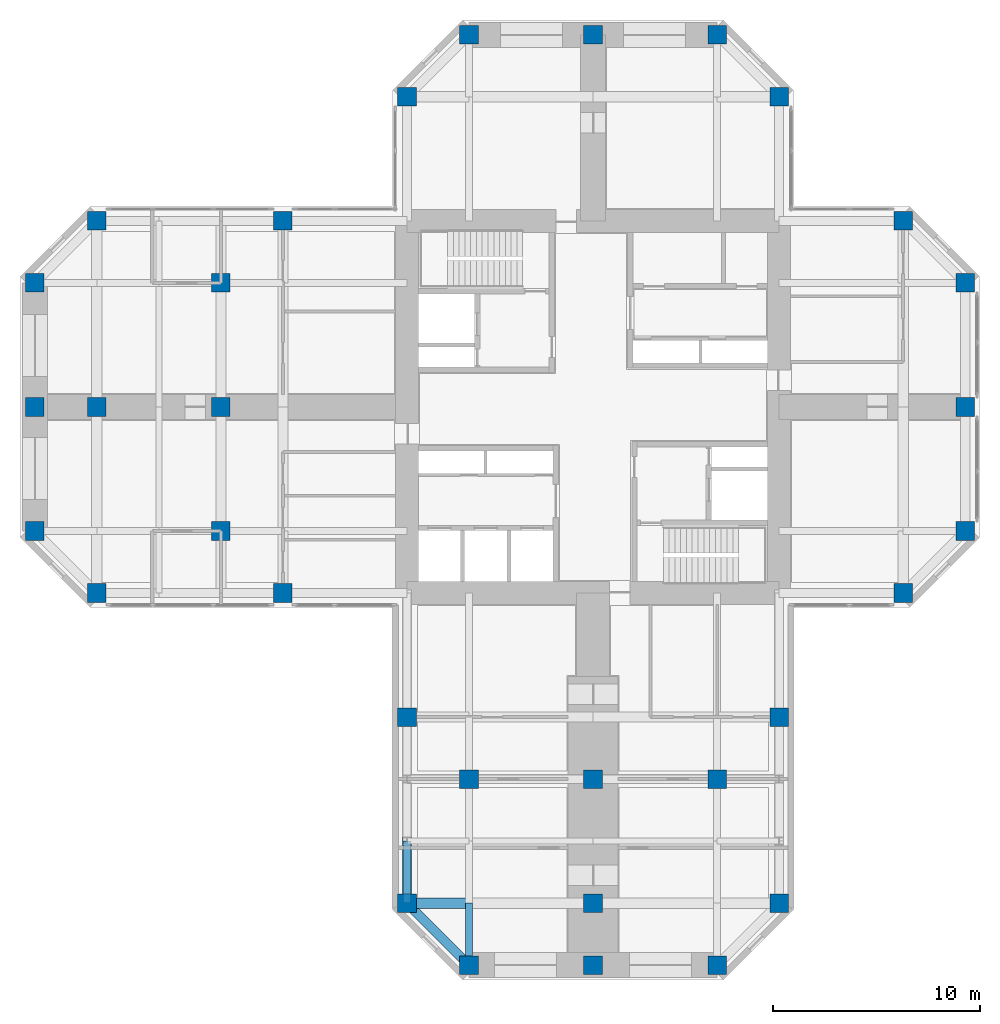
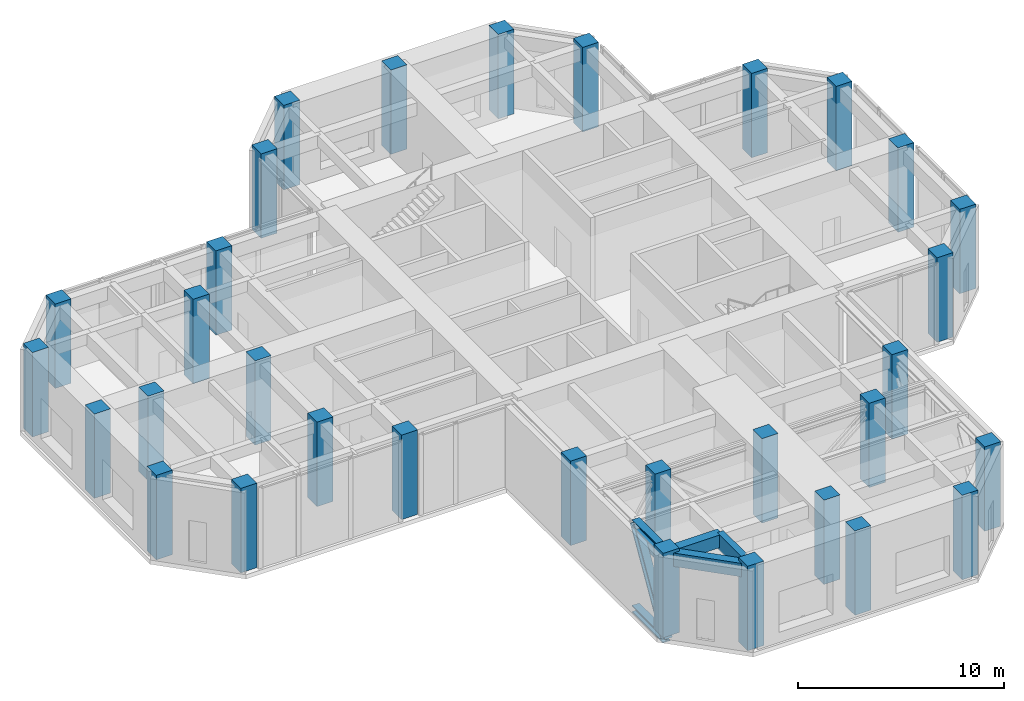
# One storey, part 1 of 10: 32 columns, 3 beams, 3 members.
"""IFC4 building model written with IfcOpenShell, lengths in metres."""

from ifc_helpers import new_model, si_unit, direction, frame, origin, origin_2d, place, context, subcontext, project, spatial, rectangle, i_section, extrude, material, material_profile, profile_set, type_object, element, save


model = new_model("IFC4")

# Units and contexts
model_context = context("Model", 3, precision=1e-05, world=origin(), true_north=direction((0.0, 1.0)))
body_context = subcontext(model_context, "Body", "Model", "MODEL_VIEW")
ifc_project = project(units=[si_unit("LENGTHUNIT", "METRE"), si_unit("AREAUNIT", "SQUARE_METRE"), si_unit("VOLUMEUNIT", "CUBIC_METRE"), si_unit("PLANEANGLEUNIT", "RADIAN"), si_unit("MASSUNIT", "GRAM", prefix="KILO")], contexts=[model_context])

# Site, building, storey
site_placement = place(None, origin())
site = spatial("IfcSite", under=ifc_project, at=site_placement, CompositionType="ELEMENT")
building_placement = place(site_placement, origin())
building = spatial("IfcBuilding", under=site, at=building_placement, Name="Torre Cruceta", CompositionType="ELEMENT")
storey_placement = place(building_placement, frame((0.0, 0.0, 217.10009765625)))
storey = spatial("IfcBuildingStorey", under=building, at=storey_placement, Name="L55", CompositionType="ELEMENT", Elevation=217.10009765625)

# Columns
ifc_material_1 = material(Name="Concrete G60 (fck 60 MPa)", Category="concrete")
ifc_material_profile_1 = material_profile(ifc_material_1, rectangle(XDim=0.89990234375, YDim=0.89990234375, at=origin_2d()), Name="RC 900X900")
ifc_profile_set_1 = profile_set([ifc_material_profile_1], Name="Concrete G60 (fck 60 MPa)")
column_type = type_object("IfcColumnType", Name="COLUMN RC 900X900", PredefinedType="COLUMN", material=ifc_profile_set_1)
for number, where, z_axis, x_axis, name in (
    (1, (9.0, 15.0, 0.0), (0.0, 0.0, 1.0), (1.0, 0.0, 0.0), "C6 L55 N chamfer"),
    (2, (-9.0, 15.0, 0.0), (0.0, 0.0, 1.0), (1.0, 0.0, 0.0), "C6 L55 N chamfer"),
    (3, (6.0, 18.0, 0.0), (0.0, 0.0, 1.0), (1.0, 0.0, 0.0), "C6 L55 N tip"),
    (4, (0.0, 18.0, 0.0), (0.0, 0.0, 1.0), (1.0, 0.0, 0.0), "C6 L55 N tip"),
    (5, (-6.0, 18.0, 0.0), (0.0, 0.0, 1.0), (1.0, 0.0, 0.0), "C6 L55 N tip"),
    (6, (15.0, -9.0, 0.0), (0.0, 0.0, 1.0), (1.0, 0.0, 0.0), "C6 L55 E chamfer"),
    (7, (15.0, 9.0, 0.0), (0.0, 0.0, 1.0), (1.0, 0.0, 0.0), "C6 L55 E chamfer"),
    (8, (18.0, -6.0, 0.0), (0.0, 0.0, 1.0), (1.0, 0.0, 0.0), "C6 L55 E tip"),
    (9, (18.0, 0.0, 0.0), (0.0, 0.0, 1.0), (1.0, 0.0, 0.0), "C6 L55 E tip"),
    (10, (18.0, 6.0, 0.0), (0.0, 0.0, 1.0), (1.0, 0.0, 0.0), "C6 L55 E tip"),
    (11, (-9.0, -15.0, 0.0), (0.0, 0.0, 1.0), (1.0, 0.0, 0.0), "C6 L55 S side"),
    (12, (-9.0, -24.0, 0.0), (0.0, 0.0, 1.0), (1.0, 0.0, 0.0), "C6 L55 S chamfer"),
    (13, (9.0, -15.0, 0.0), (0.0, 0.0, 1.0), (1.0, 0.0, 0.0), "C6 L55 S side"),
    (14, (9.0, -24.0, 0.0), (0.0, 0.0, 1.0), (1.0, 0.0, 0.0), "C6 L55 S chamfer"),
    (15, (-6.0, -27.0, 0.0), (0.0, 0.0, 1.0), (1.0, 0.0, 0.0), "C6 L55 S tip"),
    (16, (0.0, -27.0, 0.0), (0.0, 0.0, 1.0), (1.0, 0.0, 0.0), "C6 L55 S tip"),
    (17, (6.0, -27.0, 0.0), (0.0, 0.0, 1.0), (1.0, 0.0, 0.0), "C6 L55 S tip"),
    (18, (-15.0, 9.0, 0.0), (0.0, 0.0, 1.0), (1.0, 0.0, 0.0), "C6 L55 W side"),
    (19, (-24.0, 9.0, 0.0), (0.0, 0.0, 1.0), (1.0, 0.0, 0.0), "C6 L55 W chamfer"),
    (20, (-15.0, -9.0, 0.0), (0.0, 0.0, 1.0), (1.0, 0.0, 0.0), "C6 L55 W side"),
    (21, (-24.0, -9.0, 0.0), (0.0, 0.0, 1.0), (1.0, 0.0, 0.0), "C6 L55 W chamfer"),
    (22, (-27.0, 6.0, 0.0), (0.0, 0.0, 1.0), (1.0, 0.0, 0.0), "C6 L55 W tip"),
    (23, (-27.0, 0.0, 0.0), (0.0, 0.0, 1.0), (1.0, 0.0, 0.0), "C6 L55 W tip"),
    (24, (-27.0, -6.0, 0.0), (0.0, 0.0, 1.0), (1.0, 0.0, 0.0), "C6 L55 W tip"),
    (25, (-6.0, -18.0, 0.0), (0.0, 0.0, 1.0), (1.0, 0.0, 0.0), "C6 L55 S interior"),
    (26, (0.0, -18.0, 0.0), (0.0, 0.0, 1.0), (1.0, 0.0, 0.0), "C6 L55 S interior"),
    (27, (6.0, -18.0, 0.0), (0.0, 0.0, 1.0), (1.0, 0.0, 0.0), "C6 L55 S interior"),
    (28, (0.0, -24.0, 0.0), (0.0, 0.0, 1.0), (1.0, 0.0, 0.0), "C6 L55 S interior"),
    (29, (-18.0, 6.0, 0.0), (0.0, 0.0, 1.0), (1.0, 0.0, 0.0), "C6 L55 W interior"),
    (30, (-18.0, 0.0, 0.0), (0.0, 0.0, 1.0), (1.0, 0.0, 0.0), "C6 L55 W interior"),
    (31, (-18.0, -6.0, 0.0), (0.0, 0.0, 1.0), (1.0, 0.0, 0.0), "C6 L55 W interior"),
    (32, (-24.0, 0.0, 0.0), (0.0, 0.0, 1.0), (1.0, 0.0, 0.0), "C6 L55 W interior"),
):
    element("IfcColumn", number, at=place(storey_placement, frame(where, z_axis=z_axis, x_axis=x_axis)), inside=storey, type_object=column_type, Name=name, PredefinedType="COLUMN", context=body_context, shape_type="SweptSolid", body=[
        extrude(rectangle(XDim=0.89990234375, YDim=0.89990234375, at=origin_2d()), origin(), (0.0, 0.0, 1.0), 5.0),
    ])

# Members
ifc_material_2 = material(Name="Steel A913 Gr65", Category="steel")
ifc_material_profile_2 = material_profile(ifc_material_2, i_section(OverallWidth=0.406494140625, OverallDepth=0.41650390625, WebThickness=0.030029296875, FlangeThickness=0.048095703125, at=origin_2d()), Name="W14X257")
ifc_profile_set_2 = profile_set([ifc_material_profile_2], Name="Steel A913 Gr65")
member_type_1 = type_object("IfcMemberType", Name="BELT TRUSS CHORD 3 W14X257", PredefinedType="CHORD", material=ifc_profile_set_2)
for number, where, z_axis, x_axis, name in (
    (33, (-9.0, -21.0, -0.45849609375), (0.0, -1.0, 0.0), (1.0, 0.0, 0.0), "Belt truss 3 S-B4"),
    (34, (-9.0, -21.0, 4.611572265625), (0.0, -1.0, 0.0), (1.0, 0.0, 0.0), "Belt truss 3 S-T4"),
):
    element("IfcMember", number, at=place(storey_placement, frame(where, z_axis=z_axis, x_axis=x_axis)), inside=storey, type_object=member_type_1, Name=name, PredefinedType="CHORD", context=body_context, shape_type="SweptSolid", body=[
        extrude(i_section(OverallWidth=0.406494140625, OverallDepth=0.41650390625, WebThickness=0.030029296875, FlangeThickness=0.048095703125, at=origin_2d()), origin(), (0.0, 0.0, 1.0), 3.0),
    ])
ifc_material_3 = material(Name="Steel A913 Gr65", Category="steel")
ifc_material_profile_3 = material_profile(ifc_material_3, i_section(OverallWidth=0.419189453125, OverallDepth=0.45458984375, WebThickness=0.042236328125, FlangeThickness=0.067626953125, at=origin_2d()), Name="W14X370")
ifc_profile_set_3 = profile_set([ifc_material_profile_3], Name="Steel A913 Gr65")
member_type_2 = type_object("IfcMemberType", Name="BELT TRUSS DIAGONAL 3 W14X370", PredefinedType="BRACE", material=ifc_profile_set_3)
member_placement = place(storey_placement, frame((-9.0, -24.0, -0.45849609375), z_axis=(0.0, 0.50923883856, 0.860625240916), x_axis=(-1.0, 0.0, 0.0)))
element("IfcMember", 35, at=member_placement, inside=storey, type_object=member_type_2, Name="Belt truss 3 S-D4", PredefinedType="BRACE", context=body_context, shape_type="SweptSolid", body=[
    extrude(i_section(OverallWidth=0.419189453125, OverallDepth=0.45458984375, WebThickness=0.042236328125, FlangeThickness=0.067626953125, at=origin_2d()), origin(), (0.0, 0.0, 1.0), 5.89111328125),
])

# Beams
ifc_material_4 = material(Name="Concrete G60 (fck 60 MPa)", Category="concrete")
ifc_material_profile_4 = material_profile(ifc_material_4, rectangle(XDim=0.35009765625, YDim=0.89990234375, at=origin_2d()), Name="RC 350X900")
ifc_profile_set_4 = profile_set([ifc_material_profile_4], Name="Concrete G60 (fck 60 MPa)")
beam_type_1 = type_object("IfcBeamType", Name="COLUMN LINE BEAM RC 350X900", PredefinedType="BEAM", material=ifc_profile_set_4)
beam_1_placement = place(storey_placement, frame((-6.0, -24.0, 4.369873046875), z_axis=(0.0, -1.0, 0.0), x_axis=(1.0, 0.0, 0.0)))
element("IfcBeam", 36, at=beam_1_placement, inside=storey, type_object=beam_type_1, Name="LB8 L55 S col- 5", PredefinedType="BEAM", context=body_context, shape_type="SweptSolid", body=[
    extrude(rectangle(XDim=0.35009765625, YDim=0.89990234375, at=origin_2d()), origin(), (0.0, 0.0, 1.0), 3.0),
])
ifc_material_5 = material(Name="Concrete G60 (fck 60 MPa)", Category="concrete")
ifc_material_profile_5 = material_profile(ifc_material_5, rectangle(XDim=0.5, YDim=0.75, at=origin_2d()), Name="RC 500X750")
ifc_profile_set_5 = profile_set([ifc_material_profile_5], Name="Concrete G60 (fck 60 MPa)")
beam_type_2 = type_object("IfcBeamType", Name="CROSS BEAM RC 500X750", PredefinedType="BEAM", material=ifc_profile_set_5)
beam_2_placement = place(storey_placement, frame((-9.0, -24.0, 4.44482421875), z_axis=(1.0, 0.0, 0.0), x_axis=(0.0, 1.0, 0.0)))
element("IfcBeam", 37, at=beam_2_placement, inside=storey, type_object=beam_type_2, Name="GB6 L55 S cross24 1", PredefinedType="BEAM", context=body_context, shape_type="SweptSolid", body=[
    extrude(rectangle(XDim=0.5, YDim=0.75, at=origin_2d()), origin(), (0.0, 0.0, 1.0), 3.0),
])
ifc_material_6 = material(Name="Concrete G60 (fck 60 MPa)", Category="concrete")
ifc_material_profile_6 = material_profile(ifc_material_6, rectangle(XDim=0.449951171875, YDim=0.800048828125, at=origin_2d()), Name="RC 450X800")
ifc_profile_set_6 = profile_set([ifc_material_profile_6], Name="Concrete G60 (fck 60 MPa)")
beam_type_3 = type_object("IfcBeamType", Name="SPANDREL BEAM RC 450X800", PredefinedType="SPANDREL", material=ifc_profile_set_6)
beam_3_placement = place(storey_placement, frame((-9.0, -24.0, 4.419921875), z_axis=(0.707106781187, -0.707106781187, 0.0), x_axis=(0.707106781187, 0.707106781187, 0.0)))
element("IfcBeam", 38, at=beam_3_placement, inside=storey, type_object=beam_type_3, Name="SB6 L55 S side- 5", PredefinedType="SPANDREL", context=body_context, shape_type="SweptSolid", body=[
    extrude(rectangle(XDim=0.449951171875, YDim=0.800048828125, at=origin_2d()), origin(), (0.0, 0.0, 1.0), 4.24267578125),
])

save(model, "model.ifc")
